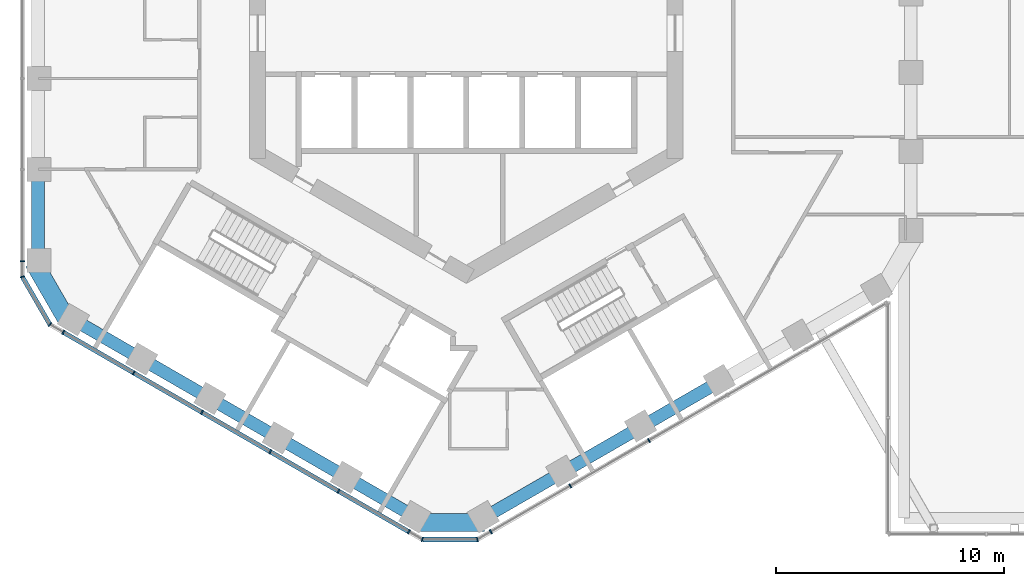
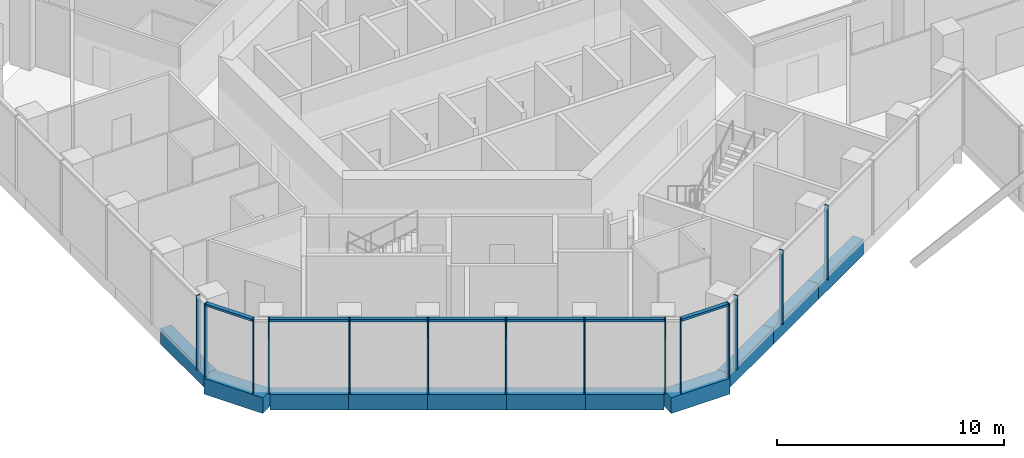
# One storey, part 2 of 24: 17 members, 11 beams, 5 elements without a shape of their own.
"""IFC4 building model written with IfcOpenShell, lengths in metres."""

from ifc_helpers import new_model, si_unit, direction, frame, origin, origin_2d, place, context, subcontext, project, spatial, rectangle, extrude, material, layer, layer_set, material_profile, profile_set, type_object, element, aggregate, save


model = new_model("IFC4")

# Units and contexts
model_context = context("Model", 3, precision=1e-05, world=origin(), true_north=direction((0.0, 1.0)))
body_context = subcontext(model_context, "Body", "Model", "MODEL_VIEW")
ifc_project = project(units=[si_unit("LENGTHUNIT", "METRE"), si_unit("AREAUNIT", "SQUARE_METRE"), si_unit("VOLUMEUNIT", "CUBIC_METRE"), si_unit("PLANEANGLEUNIT", "RADIAN"), si_unit("MASSUNIT", "GRAM", prefix="KILO")], contexts=[model_context])

# Site, building, storey
site_placement = place(None, origin())
site = spatial("IfcSite", under=ifc_project, at=site_placement, CompositionType="ELEMENT")
building_placement = place(site_placement, origin())
building = spatial("IfcBuilding", under=site, at=building_placement, Name="Ayvan Gate Tower", CompositionType="ELEMENT")
storey_placement = place(building_placement, frame((0.0, 0.0, 124.5)))
storey = spatial("IfcBuildingStorey", under=building, at=storey_placement, Name="L33", CompositionType="ELEMENT", Elevation=124.5)

# Beams
ifc_material_1 = material(Name="Concrete C40/50", Category="concrete")
ifc_material_profile_1 = material_profile(ifc_material_1, rectangle(XDim=0.800048828125, YDim=0.85009765625, at=origin_2d()), Name="RC 800x850")
ifc_profile_set_1 = profile_set([ifc_material_profile_1], Name="Concrete C40/50")
beam_type_1 = type_object("IfcBeamType", Name="Corner spandrel beam RC 800x850 C40/50", PredefinedType="BEAM", material=ifc_profile_set_1)
for number, where, z_axis, x_axis, name in (
    (1, (-18.9677734375, -10.036865234375, -0.824951171875), (0.499990139034, -0.866031096941, 0.0), (0.866031096941, 0.499990139034, 0.0), "SB-L33-24"),
    (2, (-2.208251953125, -21.445068359375, -0.824951171875), (1.0, 0.0, 0.0), (0.0, 1.0, 0.0), "SB-L33-30"),
):
    element("IfcBeam", number, at=place(storey_placement, frame(where, z_axis=z_axis, x_axis=x_axis)), inside=storey, type_object=beam_type_1, Name=name, PredefinedType="BEAM", context=body_context, shape_type="SweptSolid", body=[
        extrude(rectangle(XDim=0.800048828125, YDim=0.85009765625, at=origin_2d()), origin(), (0.0, 0.0, 1.0), 3.0),
    ])
ifc_material_profile_2 = material_profile(ifc_material_1, rectangle(XDim=0.550048828125, YDim=0.85009765625, at=origin_2d()), Name="RC 550x850")
ifc_profile_set_2 = profile_set([ifc_material_profile_2], Name="Concrete C40/50")
beam_type_2 = type_object("IfcBeamType", Name="Spandrel beam RC 550x850 C40/50", PredefinedType="BEAM", material=ifc_profile_set_2)
beam_1_placement = place(storey_placement, frame((-18.77734375, -5.9560546875, -0.824951171875), z_axis=(0.0, -1.0, 0.0), x_axis=(1.0, 0.0, 0.0)))
element("IfcBeam", 3, at=beam_1_placement, inside=storey, type_object=beam_type_2, Name="SB-L33-23", PredefinedType="BEAM", context=body_context, shape_type="SweptSolid", body=[
    extrude(rectangle(XDim=0.550048828125, YDim=0.85009765625, at=origin_2d()), origin(), (0.0, 0.0, 1.0), 3.970703125),
])
beam_2_placement = place(storey_placement, frame((-17.27734375, -12.52490234375, -0.824951171875), z_axis=(0.866037222451, -0.499979528911, 0.0), x_axis=(0.499979528911, 0.866037222451, 0.0)))
element("IfcBeam", 4, at=beam_2_placement, inside=storey, type_object=beam_type_2, Name="SB-L33-25", PredefinedType="BEAM", context=body_context, shape_type="SweptSolid", body=[
    extrude(rectangle(XDim=0.550048828125, YDim=0.85009765625, at=origin_2d()), origin(), (0.0, 0.0, 1.0), 3.480224609375),
])
beam_3_placement = place(storey_placement, frame((-14.263427734375, -14.264892578125, -0.824951171875), z_axis=(0.86601968407, -0.500009906705, 0.0), x_axis=(0.500009906705, 0.86601968407, 0.0)))
element("IfcBeam", 5, at=beam_3_placement, inside=storey, type_object=beam_type_2, Name="SB-L33-26", PredefinedType="BEAM", context=body_context, shape_type="SweptSolid", body=[
    extrude(rectangle(XDim=0.550048828125, YDim=0.85009765625, at=origin_2d()), origin(), (0.0, 0.0, 1.0), 3.47998046875),
])
beam_4_placement = place(storey_placement, frame((-11.249755859375, -16.0048828125, -0.824951171875), z_axis=(0.866006845662, -0.500032142234, 0.0), x_axis=(0.500032142234, 0.866006845662, 0.0)))
element("IfcBeam", 6, at=beam_4_placement, inside=storey, type_object=beam_type_2, Name="SB-L33-27", PredefinedType="BEAM", context=body_context, shape_type="SweptSolid", body=[
    extrude(rectangle(XDim=0.550048828125, YDim=0.85009765625, at=origin_2d()), origin(), (0.0, 0.0, 1.0), 3.480224609375),
])
beam_5_placement = place(storey_placement, frame((-8.23583984375, -17.7451171875, -0.824951171875), z_axis=(0.86601968407, -0.500009906705, 0.0), x_axis=(0.500009906705, 0.86601968407, 0.0)))
element("IfcBeam", 7, at=beam_5_placement, inside=storey, type_object=beam_type_2, Name="SB-L33-28", PredefinedType="BEAM", context=body_context, shape_type="SweptSolid", body=[
    extrude(rectangle(XDim=0.550048828125, YDim=0.85009765625, at=origin_2d()), origin(), (0.0, 0.0, 1.0), 3.47998046875),
])
beam_6_placement = place(storey_placement, frame((-5.22216796875, -19.485107421875, -0.824951171875), z_axis=(0.866037222451, -0.499979528911, 0.0), x_axis=(0.499979528911, 0.866037222451, 0.0)))
element("IfcBeam", 8, at=beam_6_placement, inside=storey, type_object=beam_type_2, Name="SB-L33-29", PredefinedType="BEAM", context=body_context, shape_type="SweptSolid", body=[
    extrude(rectangle(XDim=0.550048828125, YDim=0.85009765625, at=origin_2d()), origin(), (0.0, 0.0, 1.0), 3.480224609375),
])
for number, where, z_axis, x_axis, name in (
    (9, (0.791748046875, -21.22509765625, -0.824951171875), (0.866024832473, 0.50000098954, 0.0), (-0.50000098954, 0.866024832473, 0.0), "SB-L33-31"),
    (10, (4.23046875, -19.23974609375, -0.824951171875), (0.866024832473, 0.50000098954, 0.0), (-0.50000098954, 0.866024832473, 0.0), "SB-L33-32"),
):
    element("IfcBeam", number, at=place(storey_placement, frame(where, z_axis=z_axis, x_axis=x_axis)), inside=storey, type_object=beam_type_2, Name=name, PredefinedType="BEAM", context=body_context, shape_type="SweptSolid", body=[
        extrude(rectangle(XDim=0.550048828125, YDim=0.85009765625, at=origin_2d()), origin(), (0.0, 0.0, 1.0), 3.970703125),
    ])
beam_7_placement = place(storey_placement, frame((7.669189453125, -17.25439453125, -0.824951171875), z_axis=(0.866040202709, 0.499974366635, 0.0), x_axis=(-0.499974366635, 0.866040202709, 0.0)))
element("IfcBeam", 11, at=beam_7_placement, inside=storey, type_object=beam_type_2, Name="SB-L33-33", PredefinedType="BEAM", context=body_context, shape_type="SweptSolid", body=[
    extrude(rectangle(XDim=0.550048828125, YDim=0.85009765625, at=origin_2d()), origin(), (0.0, 0.0, 1.0), 3.970947265625),
])

# Curtain wall, member
ifc_material_2 = material(Name="Bronze anodised aluminium", Category="aluminium")
ifc_layer_1 = layer(ifc_material_2, 0.199951171875)
ifc_layer_set_1 = layer_set([ifc_layer_1], Name="Bronze anodised aluminium")
curtain_wall_type_1 = type_object("IfcCurtainWallType", Name="Stick curtain wall CW-1", PredefinedType="NOTDEFINED", material=ifc_layer_set_1)
curtain_wall_1_placement = place(storey_placement, origin())
curtain_wall_1 = element("IfcCurtainWall", 12, at=curtain_wall_1_placement, inside=storey, type_object=curtain_wall_type_1, Name="Stick curtain wall CW-1 L33", PredefinedType="NOTDEFINED")
ifc_material_profile_3 = material_profile(ifc_material_2, rectangle(XDim=0.199951171875, YDim=0.06005859375, at=origin_2d()), Name="Stick curtain wall CW-1 mullion 200 x 60")
ifc_profile_set_3 = profile_set([ifc_material_profile_3], Name="Bronze anodised aluminium")
member_type_1 = type_object("IfcMemberType", Name="Stick curtain wall CW-1 mullion 200 x 60", PredefinedType="MULLION", material=ifc_profile_set_3)
member_1_placement = place(storey_placement, frame((-19.462890625, -9.997314453125, 0.0), z_axis=(0.0, 0.0, 1.0), x_axis=(-1.0, 0.0, 0.0)))
member_1 = element("IfcMember", 13, at=member_1_placement, type_object=member_type_1, Name="CW-1 mullion 6", PredefinedType="MULLION", context=body_context, shape_type="SweptSolid", body=[
    extrude(rectangle(XDim=0.199951171875, YDim=0.06005859375, at=origin_2d()), origin(), (0.0, 0.0, 1.0), 4.0),
])
aggregate(curtain_wall_1, [member_1])

# Curtain wall, members
curtain_wall_2_placement = place(storey_placement, origin())
curtain_wall_2 = element("IfcCurtainWall", 14, at=curtain_wall_2_placement, inside=storey, type_object=curtain_wall_type_1, Name="Stick curtain wall CW-1 L33", PredefinedType="NOTDEFINED")
member_2_placement = place(storey_placement, frame((-17.666748046875, -13.1083984375, 0.0), z_axis=(0.0, 0.0, 1.0), x_axis=(-0.5, -0.866025403784, 0.0)))
member_2 = element("IfcMember", 15, at=member_2_placement, type_object=member_type_1, Name="CW-1 mullion 1", PredefinedType="MULLION", context=body_context, shape_type="SweptSolid", body=[
    extrude(rectangle(XDim=0.199951171875, YDim=0.06005859375, at=origin_2d()), origin(), (0.0, 0.0, 1.0), 4.0),
])
member_3_placement = place(storey_placement, frame((-14.583740234375, -14.888427734375, 0.0), z_axis=(0.0, 0.0, 1.0), x_axis=(-0.5, -0.866025403784, 0.0)))
member_3 = element("IfcMember", 16, at=member_3_placement, type_object=member_type_1, Name="CW-1 mullion 2", PredefinedType="MULLION", context=body_context, shape_type="SweptSolid", body=[
    extrude(rectangle(XDim=0.199951171875, YDim=0.06005859375, at=origin_2d()), origin(), (0.0, 0.0, 1.0), 4.0),
])
member_4_placement = place(storey_placement, frame((-11.58984375, -16.616943359375, 0.0), z_axis=(0.0, 0.0, 1.0), x_axis=(-0.5, -0.866025403784, 0.0)))
member_4 = element("IfcMember", 17, at=member_4_placement, type_object=member_type_1, Name="CW-1 mullion 3", PredefinedType="MULLION", context=body_context, shape_type="SweptSolid", body=[
    extrude(rectangle(XDim=0.199951171875, YDim=0.06005859375, at=origin_2d()), origin(), (0.0, 0.0, 1.0), 4.0),
])
member_5_placement = place(storey_placement, frame((-8.595947265625, -18.345458984375, 0.0), z_axis=(0.0, 0.0, 1.0), x_axis=(-0.5, -0.866025403784, 0.0)))
member_5 = element("IfcMember", 18, at=member_5_placement, type_object=member_type_1, Name="CW-1 mullion 4", PredefinedType="MULLION", context=body_context, shape_type="SweptSolid", body=[
    extrude(rectangle(XDim=0.199951171875, YDim=0.06005859375, at=origin_2d()), origin(), (0.0, 0.0, 1.0), 4.0),
])
member_6_placement = place(storey_placement, frame((-5.601318359375, -20.074462890625, 0.0), z_axis=(0.0, 0.0, 1.0), x_axis=(-0.5, -0.866025403784, 0.0)))
member_6 = element("IfcMember", 19, at=member_6_placement, type_object=member_type_1, Name="CW-1 mullion 5", PredefinedType="MULLION", context=body_context, shape_type="SweptSolid", body=[
    extrude(rectangle(XDim=0.199951171875, YDim=0.06005859375, at=origin_2d()), origin(), (0.0, 0.0, 1.0), 4.0),
])
member_7_placement = place(storey_placement, frame((-2.518798828125, -21.85400390625, 0.0), z_axis=(0.0, 0.0, 1.0), x_axis=(-0.5, -0.866025403784, 0.0)))
member_7 = element("IfcMember", 20, at=member_7_placement, type_object=member_type_1, Name="CW-1 mullion 6", PredefinedType="MULLION", context=body_context, shape_type="SweptSolid", body=[
    extrude(rectangle(XDim=0.199951171875, YDim=0.06005859375, at=origin_2d()), origin(), (0.0, 0.0, 1.0), 4.0),
])

curtain_wall_3_placement = place(storey_placement, origin())
curtain_wall_3 = element("IfcCurtainWall", 21, at=curtain_wall_3_placement, inside=storey, type_object=curtain_wall_type_1, Name="Stick curtain wall CW-1 L33", PredefinedType="NOTDEFINED")
member_8_placement = place(storey_placement, frame((1.073486328125, -21.85400390625, 0.0), z_axis=(0.0, 0.0, 1.0), x_axis=(0.5, -0.866025403784, 0.0)))
member_8 = element("IfcMember", 22, at=member_8_placement, type_object=member_type_1, Name="CW-1 mullion 1", PredefinedType="MULLION", context=body_context, shape_type="SweptSolid", body=[
    extrude(rectangle(XDim=0.199951171875, YDim=0.06005859375, at=origin_2d()), origin(), (0.0, 0.0, 1.0), 4.0),
])
member_9_placement = place(storey_placement, frame((4.558349609375, -19.842041015625, 0.0), z_axis=(0.0, 0.0, 1.0), x_axis=(0.5, -0.866025403784, 0.0)))
member_9 = element("IfcMember", 23, at=member_9_placement, type_object=member_type_1, Name="CW-1 mullion 2", PredefinedType="MULLION", context=body_context, shape_type="SweptSolid", body=[
    extrude(rectangle(XDim=0.199951171875, YDim=0.06005859375, at=origin_2d()), origin(), (0.0, 0.0, 1.0), 4.0),
])
member_10_placement = place(storey_placement, frame((8.0068359375, -17.85107421875, 0.0), z_axis=(0.0, 0.0, 1.0), x_axis=(0.5, -0.866025403784, 0.0)))
member_10 = element("IfcMember", 24, at=member_10_placement, type_object=member_type_1, Name="CW-1 mullion 3", PredefinedType="MULLION", context=body_context, shape_type="SweptSolid", body=[
    extrude(rectangle(XDim=0.199951171875, YDim=0.06005859375, at=origin_2d()), origin(), (0.0, 0.0, 1.0), 4.0),
])
aggregate(curtain_wall_3, [member_8, member_9, member_10])

# Member
ifc_material_profile_4 = material_profile(ifc_material_2, rectangle(XDim=0.199951171875, YDim=0.1201171875, at=origin_2d()), Name="Stick curtain wall CW-1 transom 200 x 120")
ifc_profile_set_4 = profile_set([ifc_material_profile_4], Name="Bronze anodised aluminium")
member_type_2 = type_object("IfcMemberType", Name="Stick curtain wall CW-1 transom 200 x 120", PredefinedType="USERDEFINED", material=ifc_profile_set_4)
member_11_placement = place(storey_placement, frame((-17.666748046875, -13.1083984375, 3.93994140625), z_axis=(0.86602706466, -0.499997123268, 0.0), x_axis=(0.499997123268, 0.86602706466, 0.0)))
member_11 = element("IfcMember", 25, at=member_11_placement, type_object=member_type_2, Name="CW-1 transom 1", ObjectType="TRANSOM", PredefinedType="USERDEFINED", context=body_context, shape_type="SweptSolid", body=[
    extrude(rectangle(XDim=0.199951171875, YDim=0.1201171875, at=origin_2d()), origin(), (0.0, 0.0, 1.0), 17.4912109375),
])

aggregate(curtain_wall_2, [member_2, member_3, member_4, member_5, member_6, member_7, member_11])

# Curtain wall, members
ifc_layer_2 = layer(ifc_material_2, 0.199951171875)
ifc_layer_set_2 = layer_set([ifc_layer_2], Name="Bronze anodised aluminium")
curtain_wall_type_2 = type_object("IfcCurtainWallType", Name="Stick curtain wall CW-6", PredefinedType="NOTDEFINED", material=ifc_layer_set_2)
curtain_wall_4_placement = place(storey_placement, origin())
curtain_wall_4 = element("IfcCurtainWall", 26, at=curtain_wall_4_placement, inside=storey, type_object=curtain_wall_type_2, Name="Stick curtain wall CW-6 L33", PredefinedType="NOTDEFINED")
ifc_material_profile_5 = material_profile(ifc_material_2, rectangle(XDim=0.199951171875, YDim=0.050048828125, at=origin_2d()), Name="Stick curtain wall CW-6 mullion 200 x 50")
ifc_profile_set_5 = profile_set([ifc_material_profile_5], Name="Bronze anodised aluminium")
member_type_3 = type_object("IfcMemberType", Name="Stick curtain wall CW-6 mullion 200 x 50", PredefinedType="MULLION", material=ifc_profile_set_5)
member_12_placement = place(storey_placement, frame((-19.462890625, -10.67724609375, 0.0), z_axis=(0.0, 0.0, 1.0), x_axis=(-0.965925826289, -0.258819045103, 0.0)))
member_12 = element("IfcMember", 27, at=member_12_placement, type_object=member_type_3, Name="CW-6 mullion 2", PredefinedType="MULLION", context=body_context, shape_type="SweptSolid", body=[
    extrude(rectangle(XDim=0.199951171875, YDim=0.050048828125, at=origin_2d()), origin(), (0.0, 0.0, 1.0), 4.0),
])
member_13_placement = place(storey_placement, frame((-18.255615234375, -12.768310546875, 0.0), z_axis=(0.0, 0.0, 1.0), x_axis=(-0.707106781187, -0.707106781187, 0.0)))
member_13 = element("IfcMember", 28, at=member_13_placement, type_object=member_type_3, Name="CW-6 mullion 3", PredefinedType="MULLION", context=body_context, shape_type="SweptSolid", body=[
    extrude(rectangle(XDim=0.199951171875, YDim=0.050048828125, at=origin_2d()), origin(), (0.0, 0.0, 1.0), 4.0),
])

curtain_wall_5_placement = place(storey_placement, origin())
curtain_wall_5 = element("IfcCurtainWall", 29, at=curtain_wall_5_placement, inside=storey, type_object=curtain_wall_type_2, Name="Stick curtain wall CW-6 L33", PredefinedType="NOTDEFINED")
member_14_placement = place(storey_placement, frame((-1.929931640625, -22.194091796875, 0.0), z_axis=(0.0, 0.0, 1.0), x_axis=(-0.258819045103, -0.965925826289, 0.0)))
member_14 = element("IfcMember", 30, at=member_14_placement, type_object=member_type_3, Name="CW-6 mullion 2", PredefinedType="MULLION", context=body_context, shape_type="SweptSolid", body=[
    extrude(rectangle(XDim=0.199951171875, YDim=0.050048828125, at=origin_2d()), origin(), (0.0, 0.0, 1.0), 4.0),
])
member_15_placement = place(storey_placement, frame((0.484619140625, -22.194091796875, 0.0), z_axis=(0.0, 0.0, 1.0), x_axis=(0.258819045103, -0.965925826289, 0.0)))
member_15 = element("IfcMember", 31, at=member_15_placement, type_object=member_type_3, Name="CW-6 mullion 3", PredefinedType="MULLION", context=body_context, shape_type="SweptSolid", body=[
    extrude(rectangle(XDim=0.199951171875, YDim=0.050048828125, at=origin_2d()), origin(), (0.0, 0.0, 1.0), 4.0),
])

# Member
ifc_material_profile_6 = material_profile(ifc_material_2, rectangle(XDim=0.199951171875, YDim=0.1201171875, at=origin_2d()), Name="Stick curtain wall CW-6 transom 200 x 120")
ifc_profile_set_6 = profile_set([ifc_material_profile_6], Name="Bronze anodised aluminium")
member_type_4 = type_object("IfcMemberType", Name="Stick curtain wall CW-6 transom 200 x 120", PredefinedType="USERDEFINED", material=ifc_profile_set_6)
member_16_placement = place(storey_placement, frame((-19.450439453125, -10.698974609375, 3.93994140625), z_axis=(0.500014398087, -0.866017090885, 0.0), x_axis=(0.866017090885, 0.500014398087, 0.0)))
member_16 = element("IfcMember", 32, at=member_16_placement, type_object=member_type_4, Name="CW-6 transom 2", ObjectType="TRANSOM", PredefinedType="USERDEFINED", context=body_context, shape_type="SweptSolid", body=[
    extrude(rectangle(XDim=0.199951171875, YDim=0.1201171875, at=origin_2d()), origin(), (0.0, 0.0, 1.0), 2.36474609375),
])

aggregate(curtain_wall_4, [member_12, member_13, member_16])

member_17_placement = place(storey_placement, frame((-1.905029296875, -22.194091796875, 3.93994140625), z_axis=(1.0, 0.0, 0.0), x_axis=(0.0, 1.0, 0.0)))
member_17 = element("IfcMember", 33, at=member_17_placement, type_object=member_type_4, Name="CW-6 transom 2", ObjectType="TRANSOM", PredefinedType="USERDEFINED", context=body_context, shape_type="SweptSolid", body=[
    extrude(rectangle(XDim=0.199951171875, YDim=0.1201171875, at=origin_2d()), origin(), (0.0, 0.0, 1.0), 2.36474609375),
])

aggregate(curtain_wall_5, [member_14, member_15, member_17])

save(model, "model.ifc")
